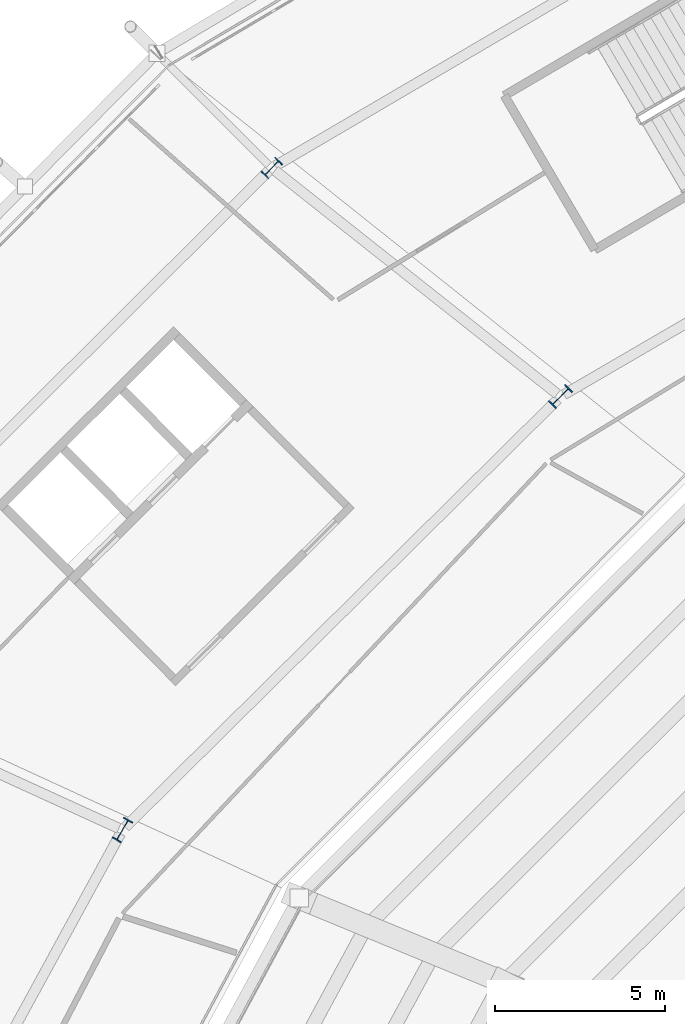
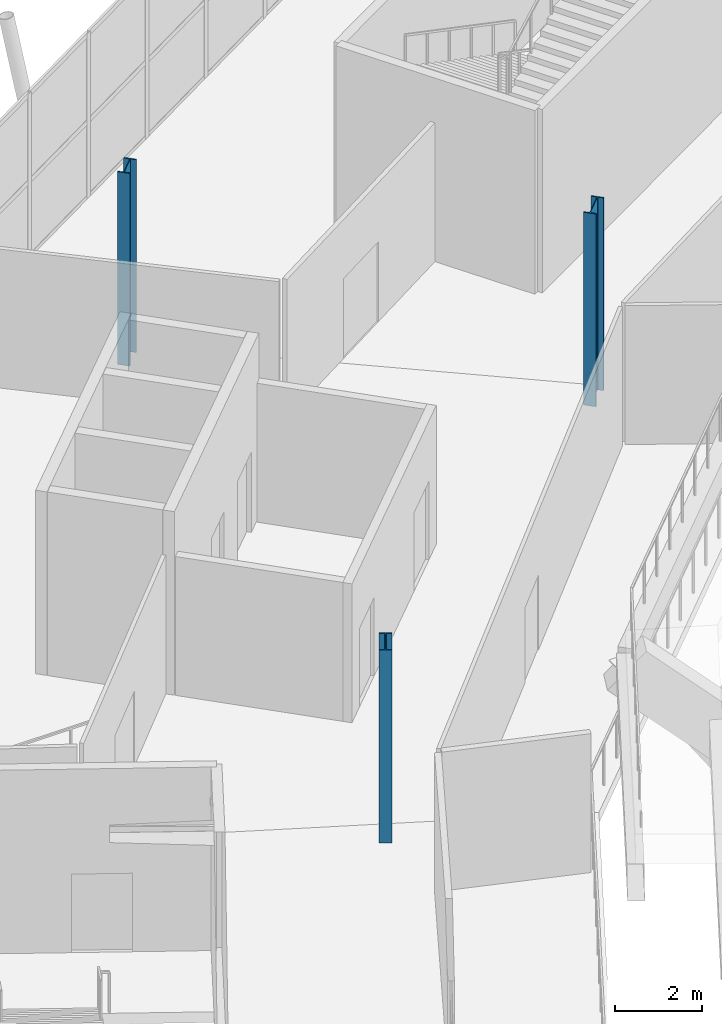
# One storey, part 6 of 126: 3 columns.
"""IFC4 building model written with IfcOpenShell, lengths in metres."""

from ifc_helpers import new_model, si_unit, direction, frame, origin, origin_2d, place, context, subcontext, project, spatial, i_section, extrude, material, material_profile, profile_set, type_object, element, save


model = new_model("IFC4")

# Units and contexts
model_context = context("Model", 3, precision=1e-05, world=origin(), true_north=direction((0.0, 1.0)))
body_context = subcontext(model_context, "Body", "Model", "MODEL_VIEW")
ifc_project = project(units=[si_unit("LENGTHUNIT", "METRE"), si_unit("AREAUNIT", "SQUARE_METRE"), si_unit("VOLUMEUNIT", "CUBIC_METRE"), si_unit("PLANEANGLEUNIT", "RADIAN"), si_unit("MASSUNIT", "GRAM", prefix="KILO")], contexts=[model_context])

# Site, building, storey
site_placement = place(None, origin())
site = spatial("IfcSite", under=ifc_project, at=site_placement, CompositionType="ELEMENT")
building_placement = place(site_placement, origin())
building = spatial("IfcBuilding", under=site, at=building_placement, Name="Zlatoyarsky Gate Stadium", CompositionType="ELEMENT")
storey_placement = place(building_placement, frame((0.0, 0.0, 20.800048828125)))
storey = spatial("IfcBuildingStorey", under=building, at=storey_placement, Name="L04", CompositionType="ELEMENT", Elevation=20.800048828125)

# Columns
ifc_material = material(Name="Steel S355", Category="steel")
ifc_material_profile_1 = material_profile(ifc_material, i_section(OverallWidth=0.300048828125, OverallDepth=0.60009765625, WebThickness=0.015380859375, FlangeThickness=0.030029296875, FilletRadius=0.027099609375, at=origin_2d()), Name="HEB 600")
ifc_profile_set_1 = profile_set([ifc_material_profile_1], Name="Steel S355")
column_type_1 = type_object("IfcColumnType", Name="STEEL COLUMN HEB 600", PredefinedType="COLUMN", material=ifc_profile_set_1)
column_placement = place(storey_placement, frame((45.239013671875, 130.20458984375, 0.0), z_axis=(0.0, 0.0, 1.0), x_axis=(-0.707106781187, 0.707106781187, 0.0)))
element("IfcColumn", 1, at=column_placement, inside=storey, type_object=column_type_1, Name="Column ST-C600 RC-09 on L04", PredefinedType="COLUMN", context=body_context, shape_type="SweptSolid", body=[
    extrude(i_section(OverallWidth=0.300048828125, OverallDepth=0.60009765625, WebThickness=0.015380859375, FlangeThickness=0.030029296875, FilletRadius=0.027099609375, at=origin_2d()), origin(), (0.0, 0.0, 1.0), 5.39990234375),
])
ifc_material_profile_2 = material_profile(ifc_material, i_section(OverallWidth=0.300048828125, OverallDepth=0.699951171875, WebThickness=0.01708984375, FlangeThickness=0.031982421875, FilletRadius=0.027099609375, at=origin_2d()), Name="HEB 700")
ifc_profile_set_2 = profile_set([ifc_material_profile_2], Name="Steel S355")
column_type_2 = type_object("IfcColumnType", Name="STEEL COLUMN HEB 700", PredefinedType="COLUMN", material=ifc_profile_set_2)
for number, where, z_axis, x_axis, name in (
    (2, (53.724365234375, 123.487060546875, 0.0), (0.0, 0.0, 1.0), (-0.707106781187, 0.707106781187, 0.0), "Column ST-C700 RB-09 on L04"),
    (3, (40.851806640625, 110.75, 0.0), (0.0, 0.0, 1.0), (-0.866025403784, 0.5, 0.0), "Column ST-C700 RB-10 on L04"),
):
    element("IfcColumn", number, at=place(storey_placement, frame(where, z_axis=z_axis, x_axis=x_axis)), inside=storey, type_object=column_type_2, Name=name, PredefinedType="COLUMN", context=body_context, shape_type="SweptSolid", body=[
        extrude(i_section(OverallWidth=0.300048828125, OverallDepth=0.699951171875, WebThickness=0.01708984375, FlangeThickness=0.031982421875, FilletRadius=0.027099609375, at=origin_2d()), origin(), (0.0, 0.0, 1.0), 5.39990234375),
    ])

save(model, "model.ifc")
